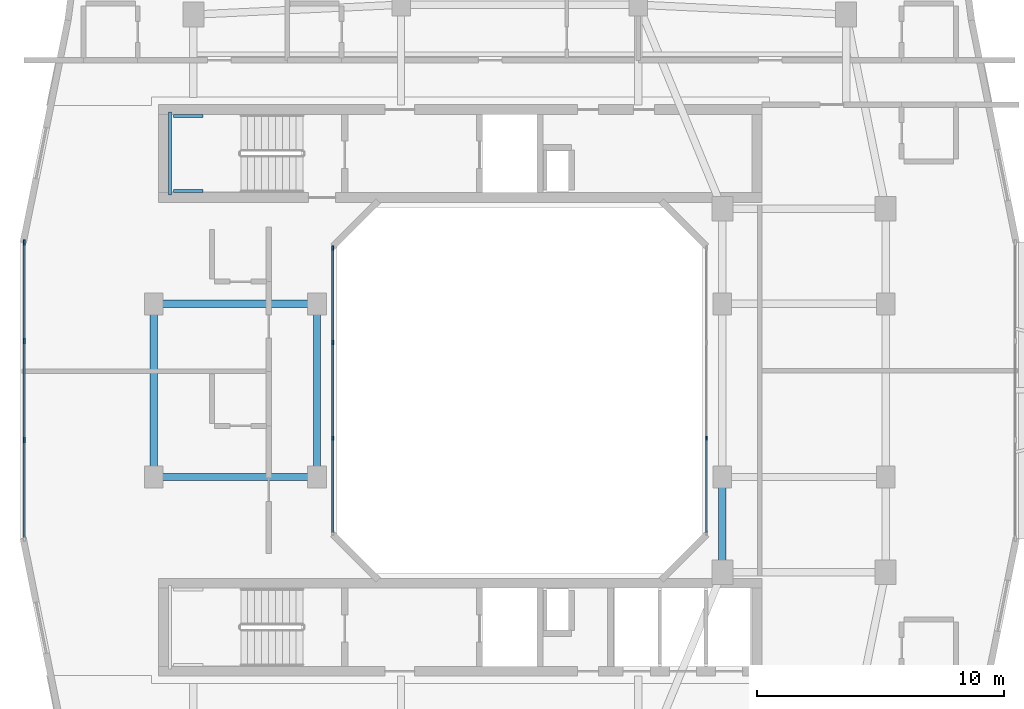
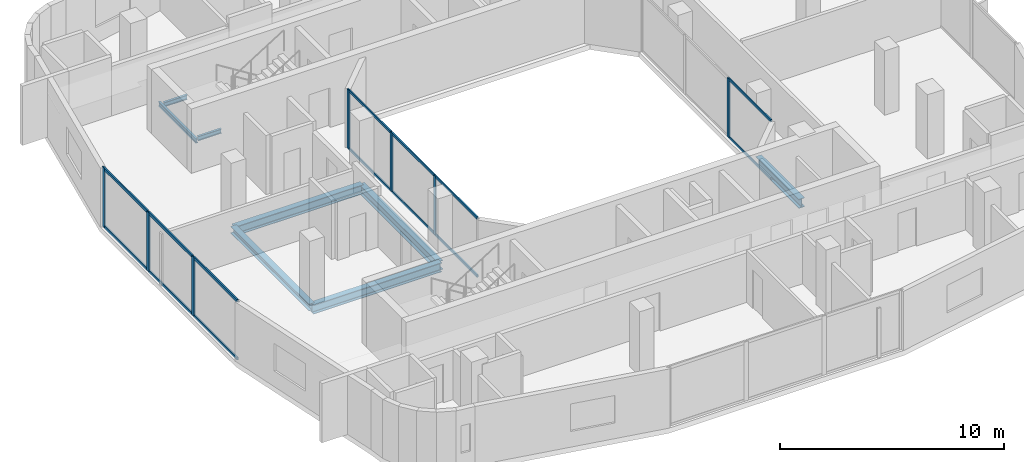
# One storey, part 3 of 14: 21 members, 8 beams, 3 elements without a shape of their own.
"""IFC4 building model written with IfcOpenShell, lengths in metres."""

from ifc_helpers import new_model, si_unit, derived_unit, direction, frame, origin, origin_2d, place, context, subcontext, project, spatial, rectangle, i_section, extrude, material, layer, layer_set, material_profile, profile_set, type_object, element, aggregate, save


model = new_model("IFC4")

# Units and contexts
model_context = context("Model", 3, precision=1e-05, world=origin(), true_north=direction((0.0, 1.0)))
body_context = subcontext(model_context, "Body", "Model", "MODEL_VIEW")
ifc_project = project(units=[si_unit("LENGTHUNIT", "METRE"), si_unit("AREAUNIT", "SQUARE_METRE"), si_unit("VOLUMEUNIT", "CUBIC_METRE"), si_unit("PLANEANGLEUNIT", "RADIAN"), si_unit("MASSUNIT", "GRAM", prefix="KILO"), derived_unit("THERMALTRANSMITTANCEUNIT", [(si_unit("POWERUNIT", "WATT"), 1), (si_unit("LENGTHUNIT", "METRE"), -2), (si_unit("THERMODYNAMICTEMPERATUREUNIT", "KELVIN"), -1)])], contexts=[model_context])

# Site, building, storey
site_placement = place(None, origin())
site = spatial("IfcSite", under=ifc_project, at=site_placement, CompositionType="ELEMENT")
building_placement = place(site_placement, origin())
building = spatial("IfcBuilding", under=site, at=building_placement, Name="Kivonza Crest Hotel", CompositionType="ELEMENT")
storey_placement = place(building_placement, frame((0.0, 0.0, 138.0)))
storey = spatial("IfcBuildingStorey", under=building, at=storey_placement, Name="L37", CompositionType="ELEMENT", Elevation=138.0)

# Beams
ifc_material_1 = material(Name="Steel S355", Category="steel")
ifc_material_profile_1 = material_profile(ifc_material_1, i_section(OverallWidth=0.300048828125, OverallDepth=0.360107421875, WebThickness=0.012451171875, FlangeThickness=0.0224609375, FilletRadius=0.027099609375, at=origin_2d()), Name="HEB 360")
ifc_profile_set_1 = profile_set([ifc_material_profile_1], Name="Steel S355")
beam_type_1 = type_object("IfcBeamType", Name="BM-HEB360", PredefinedType="SPANDREL", material=ifc_profile_set_1)
beam_1_placement = place(storey_placement, frame((6.199951171875, 28.5, -0.4599609375), z_axis=(0.0, -1.0, 0.0), x_axis=(1.0, 0.0, 0.0)))
element("IfcBeam", 1, at=beam_1_placement, inside=storey, type_object=beam_type_1, Name="Tower T1 L37 perimeter spandrel W2-W1", PredefinedType="SPANDREL", context=body_context, shape_type="SweptSolid", body=[
    extrude(i_section(OverallWidth=0.300048828125, OverallDepth=0.360107421875, WebThickness=0.012451171875, FlangeThickness=0.0224609375, FilletRadius=0.027099609375, at=origin_2d()), origin(), (0.0, 0.0, 1.0), 7.0),
])
ifc_material_profile_2 = material_profile(ifc_material_1, i_section(OverallWidth=0.300048828125, OverallDepth=0.5, WebThickness=0.014404296875, FlangeThickness=0.028076171875, FilletRadius=0.027099609375, at=origin_2d()), Name="HEB 500")
ifc_profile_set_2 = profile_set([ifc_material_profile_2], Name="Steel S355")
beam_type_2 = type_object("IfcBeamType", Name="BM-HEB500", PredefinedType="BEAM", material=ifc_profile_set_2)
for number, where, z_axis, x_axis, name in (
    (2, (6.199951171875, 21.5, -0.530029296875), (1.0, 0.0, 0.0), (0.0, 1.0, 0.0), "Tower T1 L37 primary girder W1-WL1"),
    (3, (6.199951171875, 28.5, -0.530029296875), (1.0, 0.0, 0.0), (0.0, 1.0, 0.0), "Tower T1 L37 primary girder W2-WL2"),
):
    element("IfcBeam", number, at=place(storey_placement, frame(where, z_axis=z_axis, x_axis=x_axis)), inside=storey, type_object=beam_type_2, Name=name, PredefinedType="BEAM", context=body_context, shape_type="SweptSolid", body=[
        extrude(i_section(OverallWidth=0.300048828125, OverallDepth=0.5, WebThickness=0.014404296875, FlangeThickness=0.028076171875, FilletRadius=0.027099609375, at=origin_2d()), origin(), (0.0, 0.0, 1.0), 6.60009765625),
    ])
beam_2_placement = place(storey_placement, frame((12.800048828125, 21.5, -0.530029296875), z_axis=(0.0, 1.0, 0.0), x_axis=(-1.0, 0.0, 0.0)))
element("IfcBeam", 4, at=beam_2_placement, inside=storey, type_object=beam_type_2, Name="Tower T1 L37 primary girder WL1-WL2", PredefinedType="BEAM", context=body_context, shape_type="SweptSolid", body=[
    extrude(i_section(OverallWidth=0.300048828125, OverallDepth=0.5, WebThickness=0.014404296875, FlangeThickness=0.028076171875, FilletRadius=0.027099609375, at=origin_2d()), origin(), (0.0, 0.0, 1.0), 7.0),
])
beam_3_placement = place(storey_placement, frame((29.199951171875, 17.64990234375, -0.530029296875), z_axis=(0.0, 1.0, 0.0), x_axis=(-1.0, 0.0, 0.0)))
element("IfcBeam", 5, at=beam_3_placement, inside=storey, type_object=beam_type_2, Name="Tower T1 L37 primary girder TSE-WR1", PredefinedType="BEAM", context=body_context, shape_type="SweptSolid", body=[
    extrude(i_section(OverallWidth=0.300048828125, OverallDepth=0.5, WebThickness=0.014404296875, FlangeThickness=0.028076171875, FilletRadius=0.027099609375, at=origin_2d()), origin(), (0.0, 0.0, 1.0), 3.85009765625),
])
ifc_material_profile_3 = material_profile(ifc_material_1, i_section(OverallWidth=0.1201171875, OverallDepth=0.239990234375, WebThickness=0.006103515625, FlangeThickness=0.009765625, FilletRadius=0.014892578125, at=origin_2d()), Name="IPE 240")
ifc_profile_set_3 = profile_set([ifc_material_profile_3], Name="Steel S355")
beam_type_3 = type_object("IfcBeamType", Name="BM-LLDG-240", PredefinedType="BEAM", material=ifc_profile_set_3)
beam_4_placement = place(storey_placement, frame((6.860107421875, 32.89990234375, 1.429931640625), z_axis=(0.0, 1.0, 0.0), x_axis=(-1.0, 0.0, 0.0)))
element("IfcBeam", 6, at=beam_4_placement, inside=storey, type_object=beam_type_3, Name="Stair ST-T1-N L37 West landing corbel", PredefinedType="BEAM", context=body_context, shape_type="SweptSolid", body=[
    extrude(i_section(OverallWidth=0.1201171875, OverallDepth=0.239990234375, WebThickness=0.006103515625, FlangeThickness=0.009765625, FilletRadius=0.014892578125, at=origin_2d()), origin(), (0.0, 0.0, 1.0), 3.360107421875),
])
for number, where, z_axis, x_axis, name in (
    (7, (6.989990234375, 33.06005859375, 1.429931640625), (1.0, 0.0, 0.0), (0.0, 1.0, 0.0), "Stair ST-T1-N L37 South landing corbel"),
    (8, (6.989990234375, 36.10009765625, 1.429931640625), (1.0, 0.0, 0.0), (0.0, 1.0, 0.0), "Stair ST-T1-N L37 North landing corbel"),
):
    element("IfcBeam", number, at=place(storey_placement, frame(where, z_axis=z_axis, x_axis=x_axis)), inside=storey, type_object=beam_type_3, Name=name, PredefinedType="BEAM", context=body_context, shape_type="SweptSolid", body=[
        extrude(i_section(OverallWidth=0.1201171875, OverallDepth=0.239990234375, WebThickness=0.006103515625, FlangeThickness=0.009765625, FilletRadius=0.014892578125, at=origin_2d()), origin(), (0.0, 0.0, 1.0), 1.2099609375),
    ])

# Curtain wall, member
ifc_material_2 = material(Name="Anodised bronze aluminium and low-E double glazing", Category="aluminium")
ifc_layer_1 = layer(ifc_material_2, 0.159912109375)
ifc_layer_set_1 = layer_set([ifc_layer_1], Name="Anodised bronze aluminium and low-E double glazing")
curtain_wall_type_1 = type_object("IfcCurtainWallType", Name="CW-SYS-5", PredefinedType="NOTDEFINED", material=ifc_layer_set_1)
curtain_wall_1_placement = place(storey_placement, origin())
curtain_wall_1 = element("IfcCurtainWall", 9, at=curtain_wall_1_placement, inside=storey, type_object=curtain_wall_type_1, Name="L37 unitised curtain wall CW-WELL-T1-L37-3", PredefinedType="NOTDEFINED")
ifc_material_3 = material(Name="Anodised bronze aluminium", Category="aluminium")
ifc_material_profile_4 = material_profile(ifc_material_3, rectangle(XDim=0.06494140625, YDim=0.179931640625, at=origin_2d()), Name="CW-M 65x180")
ifc_profile_set_4 = profile_set([ifc_material_profile_4], Name="Anodised bronze aluminium")
member_type_1 = type_object("IfcMemberType", Name="CW-MUL-65x180", PredefinedType="MULLION", material=ifc_profile_set_4)
member_1_placement = place(storey_placement, frame((28.56005859375, 23.066650390625, 0.0), z_axis=(0.0, 0.0, 1.0), x_axis=(-1.0, 0.0, 0.0)))
member_1 = element("IfcMember", 10, at=member_1_placement, type_object=member_type_1, Name="CW-5 mullion 2", PredefinedType="MULLION", context=body_context, shape_type="SweptSolid", body=[
    extrude(rectangle(XDim=0.06494140625, YDim=0.179931640625, at=origin_2d()), origin(), (0.0, 0.0, 1.0), 3.219970703125),
])

# Curtain wall, members
curtain_wall_2_placement = place(storey_placement, origin())
curtain_wall_2 = element("IfcCurtainWall", 11, at=curtain_wall_2_placement, inside=storey, type_object=curtain_wall_type_1, Name="L37 unitised curtain wall CW-WELL-T1-L37-7", PredefinedType="NOTDEFINED")
member_2_placement = place(storey_placement, frame((13.43994140625, 30.767578125, 0.0), z_axis=(0.0, 0.0, 1.0), x_axis=(1.0, 0.0, 0.0)))
member_2 = element("IfcMember", 12, at=member_2_placement, type_object=member_type_1, Name="CW-5 mullion 1", PredefinedType="MULLION", context=body_context, shape_type="SweptSolid", body=[
    extrude(rectangle(XDim=0.06494140625, YDim=0.179931640625, at=origin_2d()), origin(), (0.0, 0.0, 1.0), 3.219970703125),
])
member_3_placement = place(storey_placement, frame((13.43994140625, 26.933349609375, 0.0), z_axis=(0.0, 0.0, 1.0), x_axis=(1.0, 0.0, 0.0)))
member_3 = element("IfcMember", 13, at=member_3_placement, type_object=member_type_1, Name="CW-5 mullion 2", PredefinedType="MULLION", context=body_context, shape_type="SweptSolid", body=[
    extrude(rectangle(XDim=0.06494140625, YDim=0.179931640625, at=origin_2d()), origin(), (0.0, 0.0, 1.0), 3.219970703125),
])
member_4_placement = place(storey_placement, frame((13.43994140625, 23.066650390625, 0.0), z_axis=(0.0, 0.0, 1.0), x_axis=(1.0, 0.0, 0.0)))
member_4 = element("IfcMember", 14, at=member_4_placement, type_object=member_type_1, Name="CW-5 mullion 3", PredefinedType="MULLION", context=body_context, shape_type="SweptSolid", body=[
    extrude(rectangle(XDim=0.06494140625, YDim=0.179931640625, at=origin_2d()), origin(), (0.0, 0.0, 1.0), 3.219970703125),
])

ifc_layer_2 = layer(ifc_material_2, 0.179931640625)
ifc_layer_set_2 = layer_set([ifc_layer_2], Name="Anodised bronze aluminium and low-E double glazing")
curtain_wall_type_2 = type_object("IfcCurtainWallType", Name="CW-SYS-3", PredefinedType="NOTDEFINED", material=ifc_layer_set_2)
curtain_wall_3_placement = place(storey_placement, origin())
curtain_wall_3 = element("IfcCurtainWall", 15, at=curtain_wall_3_placement, inside=storey, type_object=curtain_wall_type_2, Name="L37 unitised curtain wall CW-T1-L37-35", PredefinedType="NOTDEFINED")
ifc_material_profile_5 = material_profile(ifc_material_3, rectangle(XDim=0.074951171875, YDim=0.219970703125, at=origin_2d()), Name="CW-M 75x220")
ifc_profile_set_5 = profile_set([ifc_material_profile_5], Name="Anodised bronze aluminium")
member_type_2 = type_object("IfcMemberType", Name="CW-MUL-75x220", PredefinedType="MULLION", material=ifc_profile_set_5)
member_5_placement = place(storey_placement, frame((0.9599609375, 30.982421875, 0.0), z_axis=(0.0, 0.0, 1.0), x_axis=(1.0, 0.0, 0.0)))
member_5 = element("IfcMember", 16, at=member_5_placement, type_object=member_type_2, Name="CW-3 mullion 1", PredefinedType="MULLION", context=body_context, shape_type="SweptSolid", body=[
    extrude(rectangle(XDim=0.074951171875, YDim=0.219970703125, at=origin_2d()), origin(), (0.0, 0.0, 1.0), 3.219970703125),
])
member_6_placement = place(storey_placement, frame((0.9599609375, 27.006591796875, 0.0), z_axis=(0.0, 0.0, 1.0), x_axis=(1.0, 0.0, 0.0)))
member_6 = element("IfcMember", 17, at=member_6_placement, type_object=member_type_2, Name="CW-3 mullion 2", PredefinedType="MULLION", context=body_context, shape_type="SweptSolid", body=[
    extrude(rectangle(XDim=0.074951171875, YDim=0.219970703125, at=origin_2d()), origin(), (0.0, 0.0, 1.0), 3.219970703125),
])
member_7_placement = place(storey_placement, frame((0.9599609375, 22.993408203125, 0.0), z_axis=(0.0, 0.0, 1.0), x_axis=(1.0, 0.0, 0.0)))
member_7 = element("IfcMember", 18, at=member_7_placement, type_object=member_type_2, Name="CW-3 mullion 3", PredefinedType="MULLION", context=body_context, shape_type="SweptSolid", body=[
    extrude(rectangle(XDim=0.074951171875, YDim=0.219970703125, at=origin_2d()), origin(), (0.0, 0.0, 1.0), 3.219970703125),
])

# Member
ifc_material_profile_6 = material_profile(ifc_material_3, rectangle(XDim=0.06494140625, YDim=0.139892578125, at=origin_2d()), Name="CW-T 65x140")
ifc_profile_set_6 = profile_set([ifc_material_profile_6], Name="Anodised bronze aluminium")
member_type_3 = type_object("IfcMemberType", Name="CW-TRN-65x140", PredefinedType="USERDEFINED", material=ifc_profile_set_6)
member_8_placement = place(storey_placement, frame((28.56005859375, 19.264892578125, 0.032470703125), z_axis=(0.0, 1.0, 0.0), x_axis=(-1.0, 0.0, 0.0)))
member_8 = element("IfcMember", 19, at=member_8_placement, type_object=member_type_3, Name="CW-5 transom 1.1", ObjectType="TRANSOM", PredefinedType="USERDEFINED", context=body_context, shape_type="SweptSolid", body=[
    extrude(rectangle(XDim=0.06494140625, YDim=0.139892578125, at=origin_2d()), origin(), (0.0, 0.0, 1.0), 3.769287109375),
])

member_9_placement = place(storey_placement, frame((28.56005859375, 19.264892578125, 3.1875), z_axis=(0.0, 1.0, 0.0), x_axis=(-1.0, 0.0, 0.0)))
member_9 = element("IfcMember", 20, at=member_9_placement, type_object=member_type_3, Name="CW-5 transom 1.2", ObjectType="TRANSOM", PredefinedType="USERDEFINED", context=body_context, shape_type="SweptSolid", body=[
    extrude(rectangle(XDim=0.06494140625, YDim=0.139892578125, at=origin_2d()), origin(), (0.0, 0.0, 1.0), 3.769287109375),
])

aggregate(curtain_wall_1, [member_1, member_8, member_9])

member_10_placement = place(storey_placement, frame((13.43994140625, 30.735107421875, 0.032470703125), z_axis=(0.0, -1.0, 0.0), x_axis=(1.0, 0.0, 0.0)))
member_10 = element("IfcMember", 21, at=member_10_placement, type_object=member_type_3, Name="CW-5 transom 1.1", ObjectType="TRANSOM", PredefinedType="USERDEFINED", context=body_context, shape_type="SweptSolid", body=[
    extrude(rectangle(XDim=0.06494140625, YDim=0.139892578125, at=origin_2d()), origin(), (0.0, 0.0, 1.0), 3.769287109375),
])

member_11_placement = place(storey_placement, frame((13.43994140625, 30.735107421875, 3.1875), z_axis=(0.0, -1.0, 0.0), x_axis=(1.0, 0.0, 0.0)))
member_11 = element("IfcMember", 22, at=member_11_placement, type_object=member_type_3, Name="CW-5 transom 1.2", ObjectType="TRANSOM", PredefinedType="USERDEFINED", context=body_context, shape_type="SweptSolid", body=[
    extrude(rectangle(XDim=0.06494140625, YDim=0.139892578125, at=origin_2d()), origin(), (0.0, 0.0, 1.0), 3.769287109375),
])

member_12_placement = place(storey_placement, frame((13.43994140625, 26.90087890625, 0.032470703125), z_axis=(0.0, -1.0, 0.0), x_axis=(1.0, 0.0, 0.0)))
member_12 = element("IfcMember", 23, at=member_12_placement, type_object=member_type_3, Name="CW-5 transom 2.1", ObjectType="TRANSOM", PredefinedType="USERDEFINED", context=body_context, shape_type="SweptSolid", body=[
    extrude(rectangle(XDim=0.06494140625, YDim=0.139892578125, at=origin_2d()), origin(), (0.0, 0.0, 1.0), 3.8017578125),
])

member_13_placement = place(storey_placement, frame((13.43994140625, 26.90087890625, 3.1875), z_axis=(0.0, -1.0, 0.0), x_axis=(1.0, 0.0, 0.0)))
member_13 = element("IfcMember", 24, at=member_13_placement, type_object=member_type_3, Name="CW-5 transom 2.2", ObjectType="TRANSOM", PredefinedType="USERDEFINED", context=body_context, shape_type="SweptSolid", body=[
    extrude(rectangle(XDim=0.06494140625, YDim=0.139892578125, at=origin_2d()), origin(), (0.0, 0.0, 1.0), 3.8017578125),
])

member_14_placement = place(storey_placement, frame((13.43994140625, 23.0341796875, 0.032470703125), z_axis=(0.0, -1.0, 0.0), x_axis=(1.0, 0.0, 0.0)))
member_14 = element("IfcMember", 25, at=member_14_placement, type_object=member_type_3, Name="CW-5 transom 3.1", ObjectType="TRANSOM", PredefinedType="USERDEFINED", context=body_context, shape_type="SweptSolid", body=[
    extrude(rectangle(XDim=0.06494140625, YDim=0.139892578125, at=origin_2d()), origin(), (0.0, 0.0, 1.0), 3.769287109375),
])

member_15_placement = place(storey_placement, frame((13.43994140625, 23.0341796875, 3.1875), z_axis=(0.0, -1.0, 0.0), x_axis=(1.0, 0.0, 0.0)))
member_15 = element("IfcMember", 26, at=member_15_placement, type_object=member_type_3, Name="CW-5 transom 3.2", ObjectType="TRANSOM", PredefinedType="USERDEFINED", context=body_context, shape_type="SweptSolid", body=[
    extrude(rectangle(XDim=0.06494140625, YDim=0.139892578125, at=origin_2d()), origin(), (0.0, 0.0, 1.0), 3.769287109375),
])

aggregate(curtain_wall_2, [member_2, member_3, member_4, member_10, member_11, member_12, member_13, member_14, member_15])

ifc_material_profile_7 = material_profile(ifc_material_3, rectangle(XDim=0.074951171875, YDim=0.159912109375, at=origin_2d()), Name="CW-T 75x160")
ifc_profile_set_7 = profile_set([ifc_material_profile_7], Name="Anodised bronze aluminium")
member_type_4 = type_object("IfcMemberType", Name="CW-TRN-75x160", PredefinedType="USERDEFINED", material=ifc_profile_set_7)
member_16_placement = place(storey_placement, frame((0.9599609375, 30.945068359375, 0.03759765625), z_axis=(0.0, -1.0, 0.0), x_axis=(1.0, 0.0, 0.0)))
member_16 = element("IfcMember", 27, at=member_16_placement, type_object=member_type_4, Name="CW-3 transom 1.1", ObjectType="TRANSOM", PredefinedType="USERDEFINED", context=body_context, shape_type="SweptSolid", body=[
    extrude(rectangle(XDim=0.074951171875, YDim=0.159912109375, at=origin_2d()), origin(), (0.0, 0.0, 1.0), 3.90087890625),
])

member_17_placement = place(storey_placement, frame((0.9599609375, 30.945068359375, 3.1826171875), z_axis=(0.0, -1.0, 0.0), x_axis=(1.0, 0.0, 0.0)))
member_17 = element("IfcMember", 28, at=member_17_placement, type_object=member_type_4, Name="CW-3 transom 1.2", ObjectType="TRANSOM", PredefinedType="USERDEFINED", context=body_context, shape_type="SweptSolid", body=[
    extrude(rectangle(XDim=0.074951171875, YDim=0.159912109375, at=origin_2d()), origin(), (0.0, 0.0, 1.0), 3.90087890625),
])

member_18_placement = place(storey_placement, frame((0.9599609375, 26.96923828125, 0.03759765625), z_axis=(0.0, -1.0, 0.0), x_axis=(1.0, 0.0, 0.0)))
member_18 = element("IfcMember", 29, at=member_18_placement, type_object=member_type_4, Name="CW-3 transom 2.1", ObjectType="TRANSOM", PredefinedType="USERDEFINED", context=body_context, shape_type="SweptSolid", body=[
    extrude(rectangle(XDim=0.074951171875, YDim=0.159912109375, at=origin_2d()), origin(), (0.0, 0.0, 1.0), 3.9384765625),
])

member_19_placement = place(storey_placement, frame((0.9599609375, 26.96923828125, 3.1826171875), z_axis=(0.0, -1.0, 0.0), x_axis=(1.0, 0.0, 0.0)))
member_19 = element("IfcMember", 30, at=member_19_placement, type_object=member_type_4, Name="CW-3 transom 2.2", ObjectType="TRANSOM", PredefinedType="USERDEFINED", context=body_context, shape_type="SweptSolid", body=[
    extrude(rectangle(XDim=0.074951171875, YDim=0.159912109375, at=origin_2d()), origin(), (0.0, 0.0, 1.0), 3.9384765625),
])

member_20_placement = place(storey_placement, frame((0.9599609375, 22.955810546875, 0.03759765625), z_axis=(0.0, -1.0, 0.0), x_axis=(1.0, 0.0, 0.0)))
member_20 = element("IfcMember", 31, at=member_20_placement, type_object=member_type_4, Name="CW-3 transom 3.1", ObjectType="TRANSOM", PredefinedType="USERDEFINED", context=body_context, shape_type="SweptSolid", body=[
    extrude(rectangle(XDim=0.074951171875, YDim=0.159912109375, at=origin_2d()), origin(), (0.0, 0.0, 1.0), 3.90087890625),
])

member_21_placement = place(storey_placement, frame((0.9599609375, 22.955810546875, 3.1826171875), z_axis=(0.0, -1.0, 0.0), x_axis=(1.0, 0.0, 0.0)))
member_21 = element("IfcMember", 32, at=member_21_placement, type_object=member_type_4, Name="CW-3 transom 3.2", ObjectType="TRANSOM", PredefinedType="USERDEFINED", context=body_context, shape_type="SweptSolid", body=[
    extrude(rectangle(XDim=0.074951171875, YDim=0.159912109375, at=origin_2d()), origin(), (0.0, 0.0, 1.0), 3.90087890625),
])

aggregate(curtain_wall_3, [member_5, member_6, member_7, member_16, member_17, member_18, member_19, member_20, member_21])

save(model, "model.ifc")
